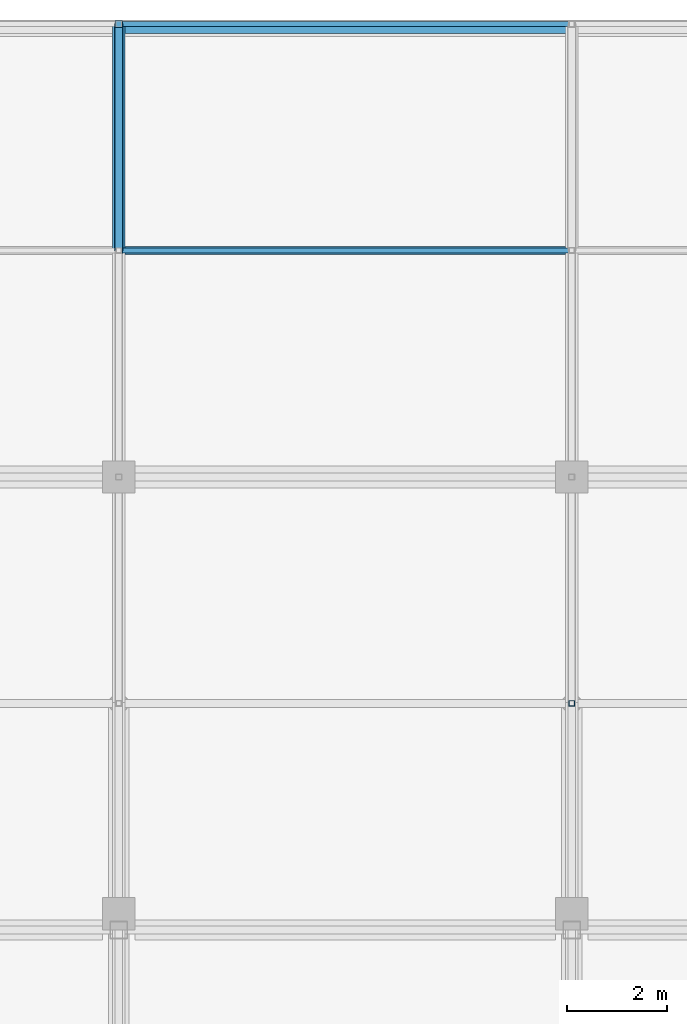
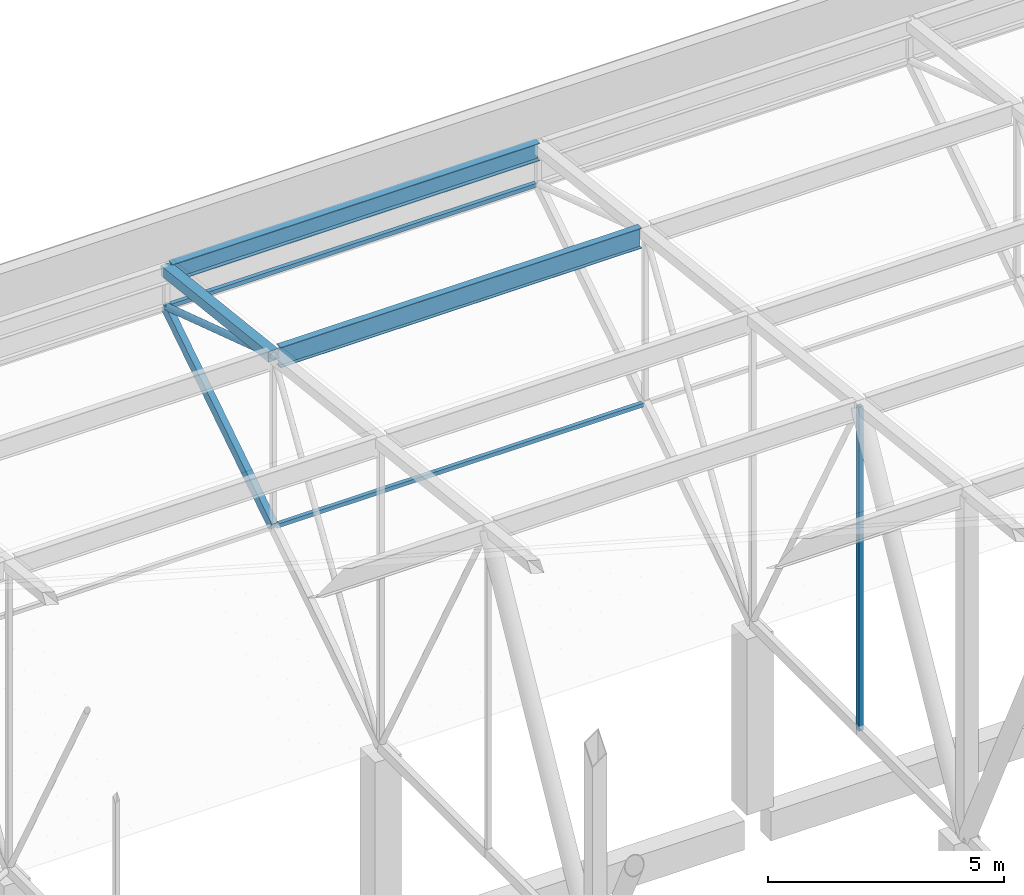
# One storey, part 306 of 500: 8 members.
"""IFC4 building model written with IfcOpenShell, lengths in metres."""

from ifc_helpers import new_model, si_unit, direction, frame, origin, origin_2d, place, context, subcontext, project, spatial, hollow_rectangle, hollow_circle, i_section, extrude, material, material_profile, profile_set, type_object, element, save


model = new_model("IFC4")

# Units and contexts
model_context = context("Model", 3, precision=1e-05, world=origin(), true_north=direction((0.0, 1.0)))
body_context = subcontext(model_context, "Body", "Model", "MODEL_VIEW")
ifc_project = project(units=[si_unit("LENGTHUNIT", "METRE"), si_unit("AREAUNIT", "SQUARE_METRE"), si_unit("VOLUMEUNIT", "CUBIC_METRE"), si_unit("PLANEANGLEUNIT", "RADIAN"), si_unit("MASSUNIT", "GRAM", prefix="KILO")], contexts=[model_context])

# Site, building, storey
site_placement = place(None, origin())
site = spatial("IfcSite", under=ifc_project, at=site_placement, CompositionType="ELEMENT")
building_placement = place(site_placement, origin())
building = spatial("IfcBuilding", under=site, at=building_placement, Name="Shirokan Park Arena", CompositionType="ELEMENT")
storey_placement = place(building_placement, frame((0.0, 0.0, 29.1201171875)))
storey = spatial("IfcBuildingStorey", under=building, at=storey_placement, Name="L06", CompositionType="ELEMENT", Elevation=29.1201171875)

# Members
ifc_material_1 = material(Name="Steel ASTM A500 Grade C", Category="steel")
ifc_material_profile_1 = material_profile(ifc_material_1, hollow_rectangle(XDim=0.152099609375, YDim=0.25390625, WallThickness=0.009521484375, at=origin_2d()), Name="HSS254X152.4X9.5")
ifc_profile_set_1 = profile_set([ifc_material_profile_1], Name="Steel ASTM A500 Grade C")
member_type_1 = type_object("IfcMemberType", Name="Bottom chord HSS254X152.4X9.5", PredefinedType="CHORD", material=ifc_profile_set_1)
member_1_placement = place(storey_placement, frame((63.699951171875, 113.75, 7.6044921875), z_axis=(0.0, 0.840971691661, 0.541079119746), x_axis=(-1.0, 0.0, 0.0)))
element("IfcMember", 1, at=member_1_placement, inside=storey, type_object=member_type_1, Name="Truss T08 bottom chord 28", PredefinedType="CHORD", context=body_context, shape_type="SweptSolid", body=[
    extrude(hollow_rectangle(XDim=0.152099609375, YDim=0.25390625, WallThickness=0.009521484375, at=origin_2d()), origin(), (0.0, 0.0, 1.0), 5.410400390625),
])
ifc_material_profile_2 = material_profile(ifc_material_1, hollow_rectangle(XDim=0.10205078125, YDim=0.10205078125, WallThickness=0.00634765625, at=origin_2d()), Name="HSS101.6X101.6X6.4")
ifc_profile_set_2 = profile_set([ifc_material_profile_2], Name="Steel ASTM A500 Grade C")
member_type_2 = type_object("IfcMemberType", Name="Eave soffit rail HSS101.6X101.6X6.4", PredefinedType="USERDEFINED", material=ifc_profile_set_2)
for number, where, z_axis, x_axis, name in (
    (2, (63.757080078125, 118.300048828125, 10.531982421875), (1.0, 0.0, 0.0), (0.0, 1.0, 0.0), "Eave soffit rail N 29 bay 8"),
    (3, (63.757080078125, 113.75, 7.6044921875), (1.0, 0.0, 0.0), (0.0, 1.0, 0.0), "Eave soffit rail N 28 bay 8"),
):
    element("IfcMember", number, at=place(storey_placement, frame(where, z_axis=z_axis, x_axis=x_axis)), inside=storey, type_object=member_type_2, Name=name, ObjectType="EAVE SOFFIT RAIL", PredefinedType="USERDEFINED", context=body_context, shape_type="SweptSolid", body=[
        extrude(hollow_rectangle(XDim=0.10205078125, YDim=0.10205078125, WallThickness=0.00634765625, at=origin_2d()), origin(), (0.0, 0.0, 1.0), 8.98583984375),
    ])
ifc_material_2 = material(Name="Steel ASTM A992", Category="steel")
ifc_material_profile_3 = material_profile(ifc_material_2, i_section(OverallWidth=0.166015625, OverallDepth=0.528076171875, WebThickness=0.009765625, FlangeThickness=0.013671875, at=origin_2d()), Name="W530X74")
ifc_profile_set_3 = profile_set([ifc_material_profile_3], Name="Steel ASTM A992")
member_type_3 = type_object("IfcMemberType", Name="Purlin W530X74", PredefinedType="PURLIN", material=ifc_profile_set_3)
member_2_placement = place(storey_placement, frame((63.826904296875, 113.75, 11.9658203125), z_axis=(1.0, 0.0, 0.0), x_axis=(0.0, 1.0, 0.0)))
element("IfcMember", 4, at=member_2_placement, inside=storey, type_object=member_type_3, Name="Purlin 28 bay 8", PredefinedType="PURLIN", context=body_context, shape_type="SweptSolid", body=[
    extrude(i_section(OverallWidth=0.166015625, OverallDepth=0.528076171875, WebThickness=0.009765625, FlangeThickness=0.013671875, at=origin_2d()), origin(), (0.0, 0.0, 1.0), 8.84619140625),
])
ifc_material_profile_4 = material_profile(ifc_material_2, i_section(OverallWidth=0.19091796875, OverallDepth=0.45703125, WebThickness=0.009033203125, FlangeThickness=0.014404296875, at=origin_2d()), Name="W460X74")
ifc_profile_set_4 = profile_set([ifc_material_profile_4], Name="Steel ASTM A992")
member_type_4 = type_object("IfcMemberType", Name="Roof edge beam W460X74", PredefinedType="USERDEFINED", material=ifc_profile_set_4)
member_3_placement = place(storey_placement, frame((63.757080078125, 118.20458984375, 11.4814453125), z_axis=(1.0, 0.0, 0.0), x_axis=(0.0, 1.0, 0.0)))
element("IfcMember", 5, at=member_3_placement, inside=storey, type_object=member_type_4, Name="Roof edge beam N 9", ObjectType="ROOF EDGE BEAM", PredefinedType="USERDEFINED", context=body_context, shape_type="SweptSolid", body=[
    extrude(i_section(OverallWidth=0.19091796875, OverallDepth=0.45703125, WebThickness=0.009033203125, FlangeThickness=0.014404296875, at=origin_2d()), origin(), (0.0, 0.0, 1.0), 8.98583984375),
])
ifc_material_profile_5 = material_profile(ifc_material_1, hollow_rectangle(XDim=0.25390625, YDim=0.25390625, WallThickness=0.009521484375, at=origin_2d()), Name="HSS254X254X9.5")
ifc_profile_set_5 = profile_set([ifc_material_profile_5], Name="Steel ASTM A500 Grade C")
member_type_5 = type_object("IfcMemberType", Name="Top chord HSS254X254X9.5", PredefinedType="CHORD", material=ifc_profile_set_5)
member_4_placement = place(storey_placement, frame((63.699951171875, 113.75, 12.021484375), z_axis=(0.0, 0.993532328996, -0.113549598152), x_axis=(-1.0, 0.0, 0.0)))
element("IfcMember", 6, at=member_4_placement, inside=storey, type_object=member_type_5, Name="Truss T08 top chord 28", PredefinedType="CHORD", context=body_context, shape_type="SweptSolid", body=[
    extrude(hollow_rectangle(XDim=0.25390625, YDim=0.25390625, WallThickness=0.009521484375, at=origin_2d()), origin(), (0.0, 0.0, 1.0), 4.57958984375),
])
ifc_material_profile_6 = material_profile(ifc_material_1, hollow_circle(Radius=0.083984375, WallThickness=0.009521484375, at=origin_2d()), Name="HSS168.3X9.5")
ifc_profile_set_6 = profile_set([ifc_material_profile_6], Name="Steel ASTM A500 Grade C")
member_type_6 = type_object("IfcMemberType", Name="Truss diagonal HSS168.3X9.5", PredefinedType="BRACE", material=ifc_profile_set_6)
member_5_placement = place(storey_placement, frame((63.699951171875, 113.75, 12.021484375), z_axis=(0.0, 0.950372733116, -0.311113593644), x_axis=(-1.0, 0.0, 0.0)))
element("IfcMember", 7, at=member_5_placement, inside=storey, type_object=member_type_6, Name="Truss T08 diagonal 28", PredefinedType="BRACE", context=body_context, shape_type="SweptSolid", body=[
    extrude(hollow_circle(Radius=0.083984375, WallThickness=0.009521484375, at=origin_2d()), origin(), (0.0, 0.0, 1.0), 4.78759765625),
])
ifc_material_profile_7 = material_profile(ifc_material_1, hollow_rectangle(XDim=0.114013671875, YDim=0.114013671875, WallThickness=0.00634765625, at=origin_2d()), Name="HSS114.3X114.3X6.4")
ifc_profile_set_7 = profile_set([ifc_material_profile_7], Name="Steel ASTM A500 Grade C")
member_type_7 = type_object("IfcMemberType", Name="Truss post HSS114.3X114.3X6.4", PredefinedType="POST", material=ifc_profile_set_7)
member_6_placement = place(storey_placement, frame((72.800048828125, 104.64990234375, 4.677001953125), z_axis=(0.0, 0.0, 1.0), x_axis=(1.0, 0.0, 0.0)))
element("IfcMember", 8, at=member_6_placement, inside=storey, type_object=member_type_7, Name="Truss T09 post 26", PredefinedType="POST", context=body_context, shape_type="SweptSolid", body=[
    extrude(hollow_rectangle(XDim=0.114013671875, YDim=0.114013671875, WallThickness=0.00634765625, at=origin_2d()), origin(), (0.0, 0.0, 1.0), 8.38427734375),
])

save(model, "model.ifc")
